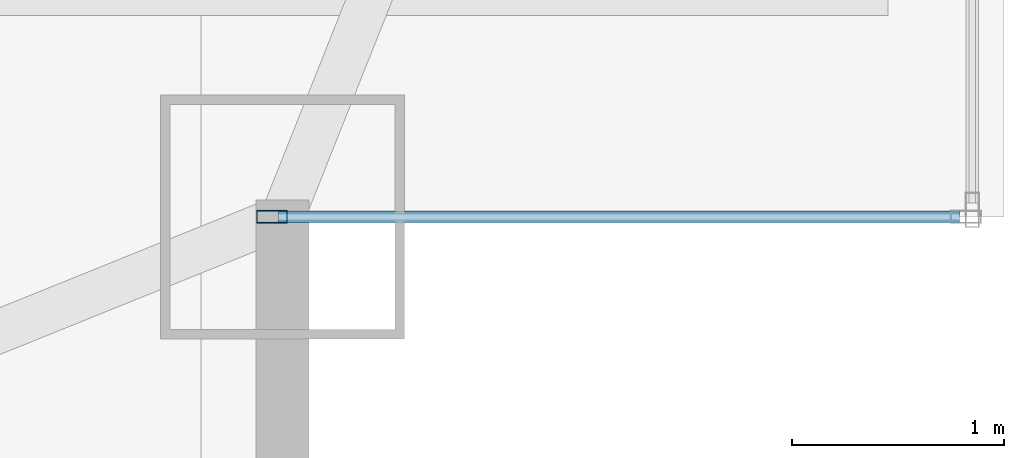
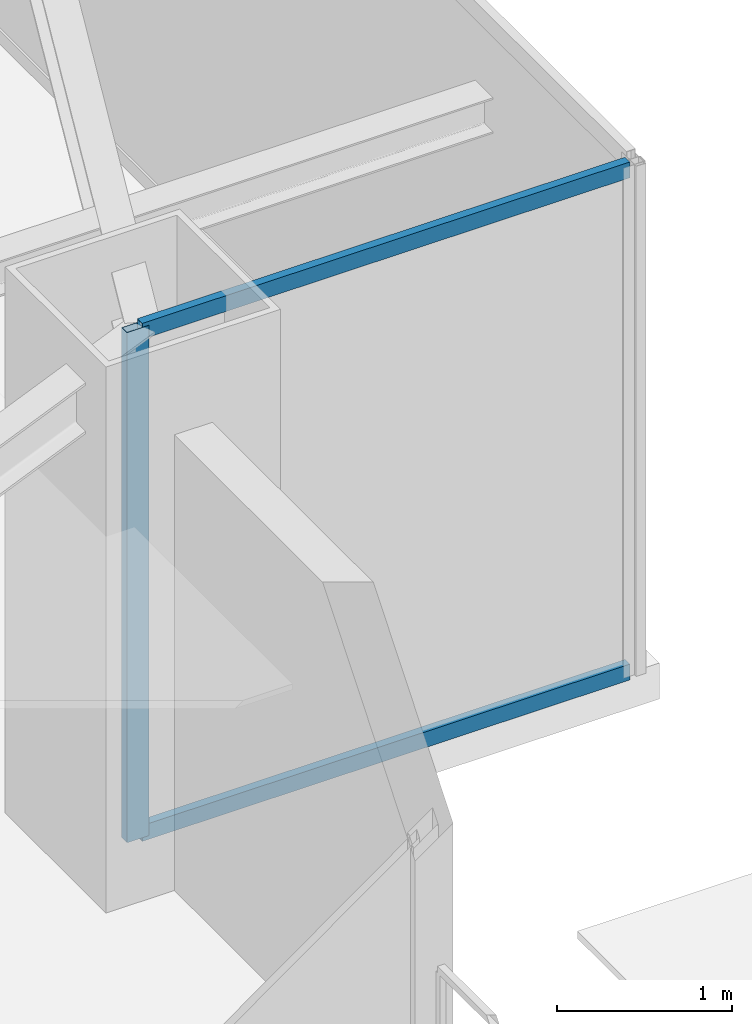
# One storey, part 16 of 33: 3 members, 1 element without a shape of its own.
"""IFC4 building model written with IfcOpenShell, lengths in metres."""

from ifc_helpers import new_model, si_unit, direction, frame, origin, origin_2d, place, context, subcontext, project, spatial, hollow_rectangle, extrude, source, transform, mapped, material, layer, layer_set, material_profile, profile_set, type_object, type_shapes, element, aggregate, save


model = new_model("IFC4")

# Units and contexts
model_context = context("Model", 3, precision=1e-05, world=origin(), true_north=direction((0.0, 1.0)))
body_context = subcontext(model_context, "Body", "Model", "MODEL_VIEW")
ifc_project = project(units=[si_unit("LENGTHUNIT", "METRE"), si_unit("AREAUNIT", "SQUARE_METRE"), si_unit("VOLUMEUNIT", "CUBIC_METRE"), si_unit("PLANEANGLEUNIT", "RADIAN"), si_unit("MASSUNIT", "GRAM", prefix="KILO")], contexts=[model_context])

# Site, building, storey
site_placement = place(None, origin())
site = spatial("IfcSite", under=ifc_project, at=site_placement, CompositionType="ELEMENT")
building_placement = place(site_placement, origin())
building = spatial("IfcBuilding", under=site, at=building_placement, Name="Varnel Quay Broadcast Tower", CompositionType="ELEMENT")
storey_placement = place(building_placement, frame((0.0, 0.0, 199.800048828125)))
storey = spatial("IfcBuildingStorey", under=building, at=storey_placement, Name="L49", CompositionType="ELEMENT", Elevation=199.800048828125)

# Curtain wall, members
ifc_material = material(Name="Anodised Bronze Aluminium 6063-T6", Category="aluminium")
ifc_layer = layer(ifc_material, 0.18994140625, Name="Anodised Bronze Aluminium 6063-T6")
ifc_layer_set = layer_set([ifc_layer], Name="Anodised Bronze Aluminium 6063-T6")
curtain_wall_type = type_object("IfcCurtainWallType", Name="CW_NotchCorner", PredefinedType="NOTDEFINED", material=ifc_layer_set)
curtain_wall_placement = place(storey_placement, origin())
curtain_wall = element("IfcCurtainWall", 1, at=curtain_wall_placement, inside=storey, type_object=curtain_wall_type, Name="L49 SE Notch Curtain Wall", PredefinedType="NOTDEFINED")
ifc_material_profile_1 = material_profile(ifc_material, hollow_rectangle(XDim=0.06005859375, YDim=0.14501953125, WallThickness=0.00341796875, at=origin_2d()), Name="ALU60X145X3.5")
ifc_profile_set_1 = profile_set([ifc_material_profile_1], Name="Anodised Bronze Aluminium 6063-T6")
member_type_1 = type_object("IfcMemberType", Name="Mull_CWS-04", PredefinedType="MULLION", material=ifc_profile_set_1)
shared_shape_1 = source(origin(), body_context, "Body", "SweptSolid", [
    extrude(hollow_rectangle(XDim=0.06005859375, YDim=0.14501953125, WallThickness=0.00341796875, at=origin_2d()), origin(), (0.0, 0.0, 1.0), 3.550048828125),
])
type_shapes(member_type_1, [shared_shape_1])
member_1_placement = place(storey_placement, frame((55.050048828125, 13.60009765625, 0.0), z_axis=(0.0, 0.0, 1.0), x_axis=(0.0, 1.0, 0.0)))
member_1 = element("IfcMember", 2, at=member_1_placement, type_object=member_type_1, Name="CWS-04 mullion 1", PredefinedType="MULLION", context=body_context, shape_type="MappedRepresentation", body=[
    mapped(shared_shape_1, transform((0.0, 0.0, 0.0), x_axis=(1.0, 0.0, 0.0), y_axis=(0.0, 1.0, 0.0), z_axis=(0.0, 0.0, 1.0), scale=1.0)),
])
ifc_material_profile_2 = material_profile(ifc_material, hollow_rectangle(XDim=0.054931640625, YDim=0.110107421875, WallThickness=0.0029296875, at=origin_2d()), Name="ALU55X110X3")
ifc_profile_set_2 = profile_set([ifc_material_profile_2], Name="Anodised Bronze Aluminium 6063-T6")
member_type_2 = type_object("IfcMemberType", Name="Tran_CWS-04", PredefinedType="USERDEFINED", material=ifc_profile_set_2)
shared_shape_2 = source(origin(), body_context, "Body", "SweptSolid", [
    extrude(hollow_rectangle(XDim=0.054931640625, YDim=0.110107421875, WallThickness=0.0029296875, at=origin_2d()), origin(), (0.0, 0.0, 1.0), 3.2099609375),
])
type_shapes(member_type_2, [shared_shape_2])
member_2_placement = place(storey_placement, frame((55.080078125, 13.60009765625, 0.02734375), z_axis=(1.0, 0.0, 0.0), x_axis=(0.0, 1.0, 0.0)))
member_2 = element("IfcMember", 3, at=member_2_placement, type_object=member_type_2, Name="CWS-04 transom 1.1", ObjectType="TRANSOM", PredefinedType="USERDEFINED", context=body_context, shape_type="MappedRepresentation", body=[
    mapped(shared_shape_2, transform((0.0, 0.0, 0.0), x_axis=(1.0, 0.0, 0.0), y_axis=(0.0, 1.0, 0.0), z_axis=(0.0, 0.0, 1.0), scale=1.0)),
])
member_3_placement = place(storey_placement, frame((55.080078125, 13.60009765625, 3.5224609375), z_axis=(1.0, 0.0, 0.0), x_axis=(0.0, 1.0, 0.0)))
member_3 = element("IfcMember", 4, at=member_3_placement, type_object=member_type_2, Name="CWS-04 transom 1.2", ObjectType="TRANSOM", PredefinedType="USERDEFINED", context=body_context, shape_type="MappedRepresentation", body=[
    mapped(shared_shape_2, transform((0.0, 0.0, 0.0), x_axis=(1.0, 0.0, 0.0), y_axis=(0.0, 1.0, 0.0), z_axis=(0.0, 0.0, 1.0), scale=1.0)),
])
aggregate(curtain_wall, [member_1, member_2, member_3])

save(model, "model.ifc")
